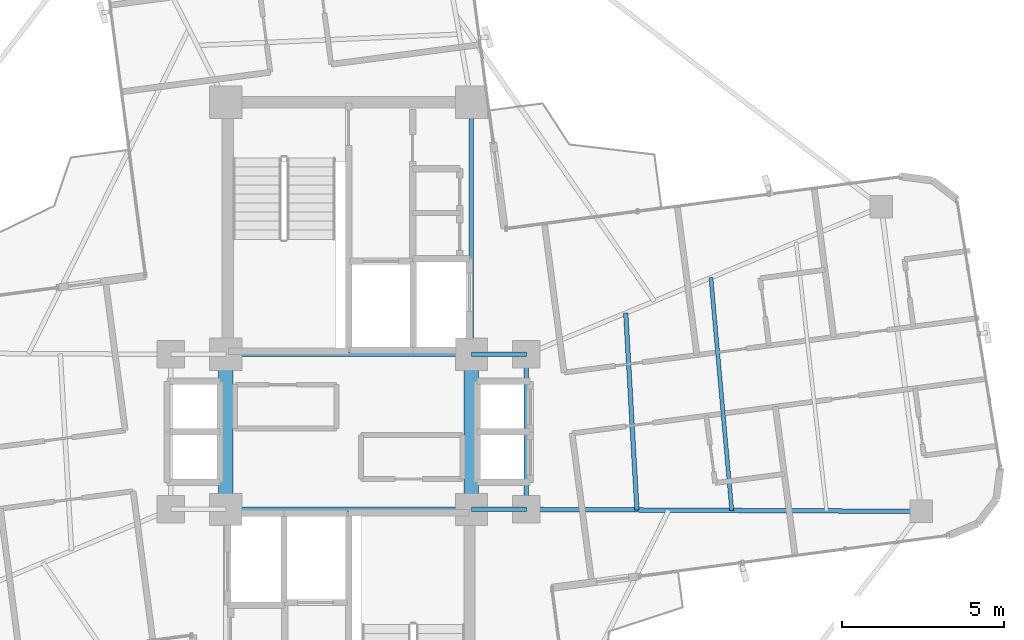
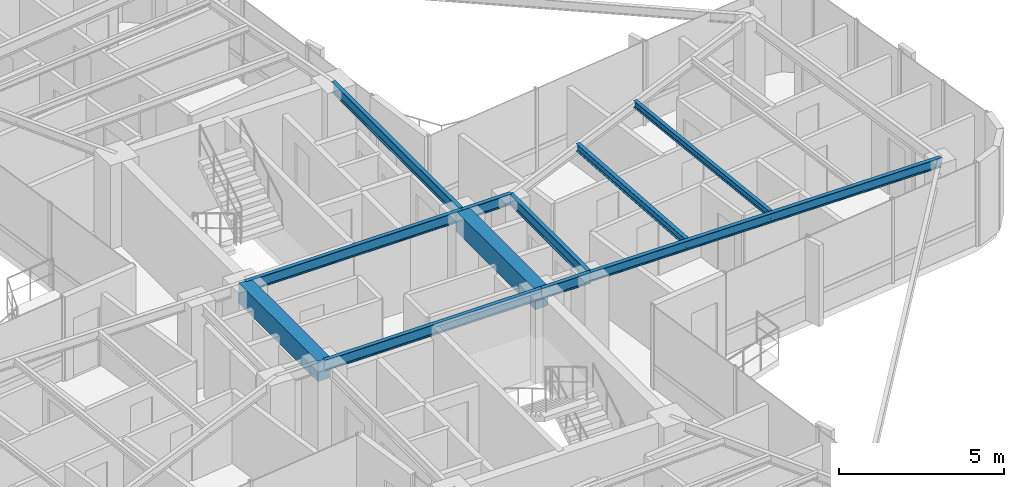
# One storey, part 10 of 23: 11 beams.
"""IFC4 building model written with IfcOpenShell, lengths in metres."""

from ifc_helpers import new_model, si_unit, direction, frame, origin, origin_2d, place, context, subcontext, project, spatial, rectangle, i_section, extrude, source, transform, mapped, material, material_profile, profile_set, type_object, element, save


model = new_model("IFC4")

# Units and contexts
model_context = context("Model", 3, precision=1e-05, world=origin(), true_north=direction((0.0, 1.0)))
body_context = subcontext(model_context, "Body", "Model", "MODEL_VIEW")
ifc_project = project(units=[si_unit("LENGTHUNIT", "METRE"), si_unit("AREAUNIT", "SQUARE_METRE"), si_unit("VOLUMEUNIT", "CUBIC_METRE"), si_unit("PLANEANGLEUNIT", "RADIAN"), si_unit("MASSUNIT", "GRAM", prefix="KILO")], contexts=[model_context])

# Site, building, storey
site_placement = place(None, origin())
site = spatial("IfcSite", under=ifc_project, at=site_placement, CompositionType="ELEMENT")
building_placement = place(site_placement, origin())
building = spatial("IfcBuilding", under=site, at=building_placement, Name="Sahyath Konkavel Grand Hotel", CompositionType="ELEMENT")
storey_placement = place(building_placement, frame((0.0, 0.0, 254.550048828125)))
storey = spatial("IfcBuildingStorey", under=building, at=storey_placement, Name="L71", CompositionType="ELEMENT", Elevation=254.550048828125)

# Beams
ifc_material_1 = material(Name="Steel E350", Category="steel")
ifc_material_profile_1 = material_profile(ifc_material_1, i_section(OverallWidth=0.139892578125, OverallDepth=0.39990234375, WebThickness=0.0087890625, FlangeThickness=0.01611328125, FilletRadius=0.013916015625, at=origin_2d()), Name="ISMB 400")
ifc_profile_set_1 = profile_set([ifc_material_profile_1], Name="Steel E350")
beam_type_1 = type_object("IfcBeamType", Name="BM-ISMB400", PredefinedType="BEAM", material=ifc_profile_set_1)
shared_shape_1 = source(origin(), body_context, "Body", "SweptSolid", [
    extrude(i_section(OverallWidth=0.139892578125, OverallDepth=0.39990234375, WebThickness=0.0087890625, FlangeThickness=0.01611328125, FilletRadius=0.013916015625, at=origin_2d()), origin(), (0.0, 0.0, 1.0), 7.60009765625),
])
for number, where, z_axis, x_axis, name in (
    (1, (-3.800048828125, 2.39990234375, 2.909912109375), (1.0, 0.0, 0.0), (0.0, 1.0, 0.0), "str:bm:L71:NC-S"),
    (2, (-3.800048828125, -2.39990234375, 2.909912109375), (1.0, 0.0, 0.0), (0.0, 1.0, 0.0), "str:bm:L71:SC-N"),
):
    element("IfcBeam", number, at=place(storey_placement, frame(where, z_axis=z_axis, x_axis=x_axis)), inside=storey, type_object=beam_type_1, Name=name, PredefinedType="BEAM", context=body_context, shape_type="MappedRepresentation", body=[
        mapped(shared_shape_1, transform((0.0, 0.0, 0.0), scale=1.0)),
    ])
shared_shape_2 = source(origin(), body_context, "Body", "SweptSolid", [
    extrude(i_section(OverallWidth=0.139892578125, OverallDepth=0.39990234375, WebThickness=0.0087890625, FlangeThickness=0.01611328125, FilletRadius=0.013916015625, at=origin_2d()), origin(), (0.0, 0.0, 1.0), 7.800048828125),
])
beam_1_placement = place(storey_placement, frame((3.800048828125, 2.39990234375, 2.909912109375), z_axis=(0.0, 1.0, 0.0), x_axis=(-1.0, 0.0, 0.0)))
element("IfcBeam", 3, at=beam_1_placement, inside=storey, type_object=beam_type_1, Name="str:bm:L71:NC-E", PredefinedType="BEAM", context=body_context, shape_type="MappedRepresentation", body=[
    mapped(shared_shape_2, transform((0.0, 0.0, 0.0), scale=1.0)),
])
shared_shape_3 = source(origin(), body_context, "Body", "SweptSolid", [
    extrude(i_section(OverallWidth=0.139892578125, OverallDepth=0.39990234375, WebThickness=0.0087890625, FlangeThickness=0.01611328125, FilletRadius=0.013916015625, at=origin_2d()), origin(), (0.0, 0.0, 1.0), 1.699951171875),
])
for number, where, z_axis, x_axis, name in (
    (4, (3.800048828125, 2.39990234375, 2.909912109375), (1.0, 0.0, 0.0), (0.0, 1.0, 0.0), "str:bm:L71:HB-NE"),
    (5, (3.800048828125, -2.39990234375, 2.909912109375), (1.0, 0.0, 0.0), (0.0, 1.0, 0.0), "str:bm:L71:HB-SE"),
):
    element("IfcBeam", number, at=place(storey_placement, frame(where, z_axis=z_axis, x_axis=x_axis)), inside=storey, type_object=beam_type_1, Name=name, PredefinedType="BEAM", context=body_context, shape_type="MappedRepresentation", body=[
        mapped(shared_shape_3, transform((0.0, 0.0, 0.0), scale=1.0)),
    ])
shared_shape_4 = source(origin(), body_context, "Body", "SweptSolid", [
    extrude(i_section(OverallWidth=0.139892578125, OverallDepth=0.39990234375, WebThickness=0.0087890625, FlangeThickness=0.01611328125, FilletRadius=0.013916015625, at=origin_2d()), origin(), (0.0, 0.0, 1.0), 4.7998046875),
])
beam_2_placement = place(storey_placement, frame((5.5, -2.39990234375, 2.909912109375), z_axis=(0.0, 1.0, 0.0), x_axis=(-1.0, 0.0, 0.0)))
element("IfcBeam", 6, at=beam_2_placement, inside=storey, type_object=beam_type_1, Name="str:bm:L71:HB-E", PredefinedType="BEAM", context=body_context, shape_type="MappedRepresentation", body=[
    mapped(shared_shape_4, transform((0.0, 0.0, 0.0), scale=1.0)),
])
ifc_material_2 = material(Name="Concrete C40/50", Category="concrete")
ifc_material_profile_2 = material_profile(ifc_material_2, rectangle(XDim=0.449951171875, YDim=0.75, at=origin_2d()), Name="RC 450x750")
ifc_profile_set_2 = profile_set([ifc_material_profile_2], Name="Concrete C40/50")
beam_type_2 = type_object("IfcBeamType", Name="BM-CB450x750", PredefinedType="LINTEL", material=ifc_profile_set_2)
shared_shape_5 = source(origin(), body_context, "Body", "SweptSolid", [
    extrude(rectangle(XDim=0.449951171875, YDim=0.75, at=origin_2d()), origin(), (0.0, 0.0, 1.0), 4.7998046875),
])
for number, where, z_axis, x_axis, name in (
    (7, (-3.800048828125, -2.39990234375, 2.73486328125), (0.0, 1.0, 0.0), (-1.0, 0.0, 0.0), "L71 Split-Core Coupling Beam West"),
    (8, (3.800048828125, -2.39990234375, 2.73486328125), (0.0, 1.0, 0.0), (-1.0, 0.0, 0.0), "L71 Split-Core Coupling Beam East"),
):
    element("IfcBeam", number, at=place(storey_placement, frame(where, z_axis=z_axis, x_axis=x_axis)), inside=storey, type_object=beam_type_2, Name=name, PredefinedType="LINTEL", context=body_context, shape_type="MappedRepresentation", body=[
        mapped(shared_shape_5, transform((0.0, 0.0, 0.0), scale=1.0)),
    ])
ifc_material_profile_3 = material_profile(ifc_material_1, i_section(OverallWidth=0.139892578125, OverallDepth=0.35009765625, WebThickness=0.008056640625, FlangeThickness=0.01416015625, FilletRadius=0.013916015625, at=origin_2d()), Name="ISMB 350")
ifc_profile_set_3 = profile_set([ifc_material_profile_3], Name="Steel E350")
beam_type_3 = type_object("IfcBeamType", Name="BM-ISMB350", PredefinedType="BEAM", material=ifc_profile_set_3)
shared_shape_6 = source(origin(), body_context, "Body", "SweptSolid", [
    extrude(i_section(OverallWidth=0.139892578125, OverallDepth=0.35009765625, WebThickness=0.008056640625, FlangeThickness=0.01416015625, FilletRadius=0.013916015625, at=origin_2d()), origin(), (0.0, 0.0, 1.0), 12.22607421875),
])
beam_3_placement = place(storey_placement, frame((5.5, -2.39990234375, 2.93505859375), z_axis=(0.999987338469, -0.005032186618, 0.0), x_axis=(0.005032186618, 0.999987338469, 0.0)))
element("IfcBeam", 9, at=beam_3_placement, inside=storey, type_object=beam_type_3, Name="L71 Cruciform Radial Girder EA", PredefinedType="BEAM", context=body_context, shape_type="MappedRepresentation", body=[
    mapped(shared_shape_6, transform((0.0, 0.0, 0.0), scale=1.0)),
])
ifc_material_profile_4 = material_profile(ifc_material_1, i_section(OverallWidth=0.139892578125, OverallDepth=0.27490234375, WebThickness=0.00634765625, FlangeThickness=0.0087890625, FilletRadius=0.012939453125, at=origin_2d()), Name="ISLB 275")
ifc_profile_set_4 = profile_set([ifc_material_profile_4], Name="Steel E350")
beam_type_4 = type_object("IfcBeamType", Name="BM-ISLB275", PredefinedType="BEAM", material=ifc_profile_set_4)
shared_shape_7 = source(origin(), body_context, "Body", "SweptSolid", [
    extrude(i_section(OverallWidth=0.139892578125, OverallDepth=0.27490234375, WebThickness=0.00634765625, FlangeThickness=0.0087890625, FilletRadius=0.012939453125, at=origin_2d()), origin(), (0.0, 0.0, 1.0), 6.10546875),
])
beam_4_placement = place(storey_placement, frame((8.92333984375, -2.417236328125, 2.972412109375), z_axis=(-0.056942743725, 0.998377445627, 0.0), x_axis=(-0.998377445627, -0.056942743725, 0.0)))
element("IfcBeam", 10, at=beam_4_placement, inside=storey, type_object=beam_type_4, Name="L71 Secondary Floor Beam E-1", PredefinedType="BEAM", context=body_context, shape_type="MappedRepresentation", body=[
    mapped(shared_shape_7, transform((0.0, 0.0, 0.0), scale=1.0)),
])
ifc_material_profile_5 = material_profile(ifc_material_1, i_section(OverallWidth=0.125, OverallDepth=0.25, WebThickness=0.0068359375, FlangeThickness=0.012451171875, FilletRadius=0.012939453125, at=origin_2d()), Name="ISMB 250")
ifc_profile_set_5 = profile_set([ifc_material_profile_5], Name="Steel E350")
beam_type_5 = type_object("IfcBeamType", Name="BM-ISMB250", PredefinedType="BEAM", material=ifc_profile_set_5)
shared_shape_8 = source(origin(), body_context, "Body", "SweptSolid", [
    extrude(i_section(OverallWidth=0.125, OverallDepth=0.25, WebThickness=0.0068359375, FlangeThickness=0.012451171875, FilletRadius=0.012939453125, at=origin_2d()), origin(), (0.0, 0.0, 1.0), 7.234619140625),
])
beam_5_placement = place(storey_placement, frame((11.857421875, -2.431884765625, 2.98486328125), z_axis=(-0.089190800562, 0.996014558676, 0.0), x_axis=(-0.996014558676, -0.089190800562, 0.0)))
element("IfcBeam", 11, at=beam_5_placement, inside=storey, type_object=beam_type_5, Name="L71 Secondary Floor Beam E-2", PredefinedType="BEAM", context=body_context, shape_type="MappedRepresentation", body=[
    mapped(shared_shape_8, transform((0.0, 0.0, 0.0), scale=1.0)),
])

save(model, "model.ifc")
